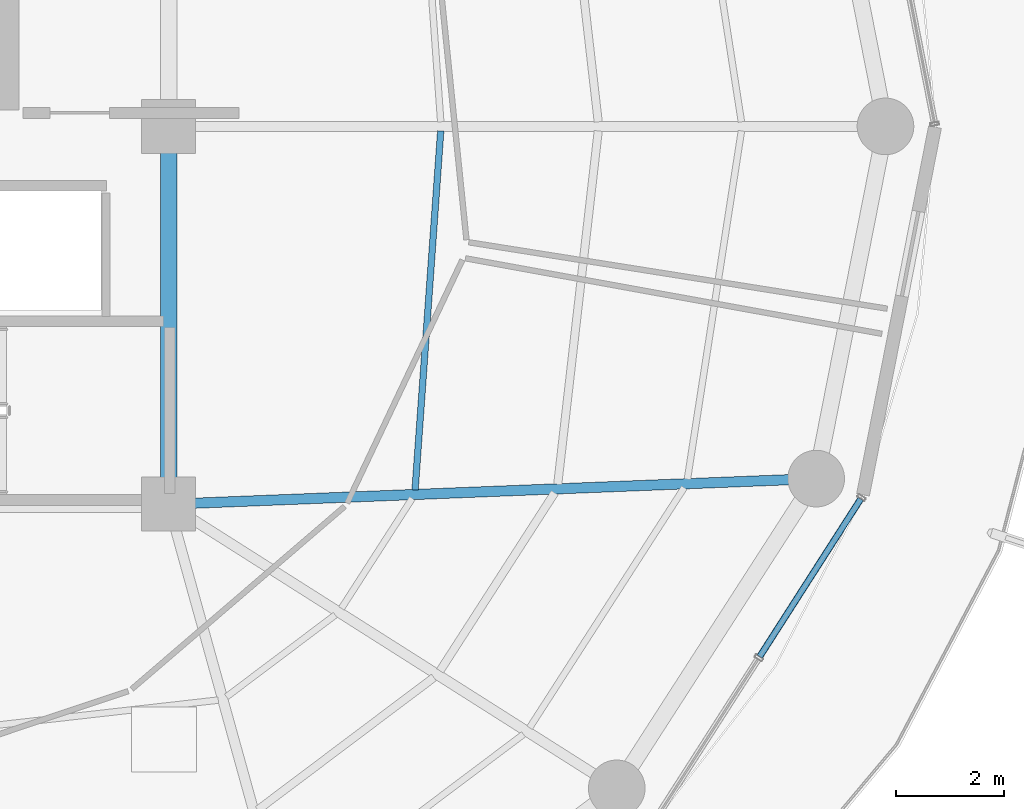
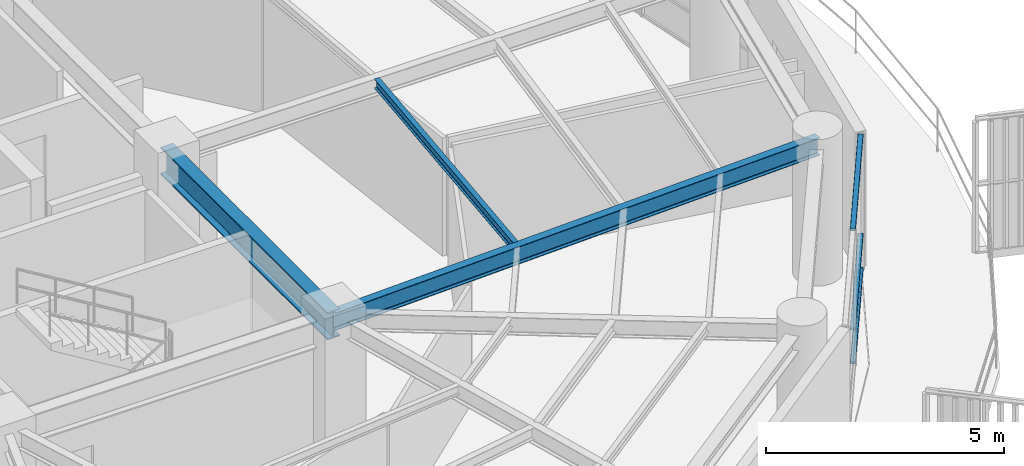
# One storey, part 12 of 31: 3 beams, 3 members, 1 element without a shape of its own.
"""IFC4 building model written with IfcOpenShell, lengths in metres."""

from ifc_helpers import new_model, si_unit, direction, frame, origin, origin_2d, place, context, subcontext, project, spatial, hollow_rectangle, i_section, extrude, material, layer, layer_set, material_profile, profile_set, type_object, element, aggregate, save


model = new_model("IFC4")

# Units and contexts
model_context = context("Model", 3, precision=1e-05, world=origin(), true_north=direction((0.0, 1.0)))
body_context = subcontext(model_context, "Body", "Model", "MODEL_VIEW")
ifc_project = project(units=[si_unit("LENGTHUNIT", "METRE"), si_unit("AREAUNIT", "SQUARE_METRE"), si_unit("VOLUMEUNIT", "CUBIC_METRE"), si_unit("PLANEANGLEUNIT", "RADIAN"), si_unit("MASSUNIT", "GRAM", prefix="KILO")], contexts=[model_context])

# Site, building, storey
site_placement = place(None, origin())
site = spatial("IfcSite", under=ifc_project, at=site_placement, CompositionType="ELEMENT")
building_placement = place(site_placement, origin())
building = spatial("IfcBuilding", under=site, at=building_placement, Name="Kelanora Arch Commons", CompositionType="ELEMENT")
storey_placement = place(building_placement, frame((0.0, 0.0, 226.949951171875)))
storey = spatial("IfcBuildingStorey", under=building, at=storey_placement, Name="L58", CompositionType="ELEMENT", Elevation=226.949951171875)

# Beams
ifc_material_1 = material(Name="Steel S355", Category="steel")
ifc_material_profile_1 = material_profile(ifc_material_1, i_section(OverallWidth=0.300048828125, OverallDepth=0.699951171875, WebThickness=0.01708984375, FlangeThickness=0.031982421875, FilletRadius=0.027099609375, at=origin_2d()), Name="HEB700")
ifc_profile_set_1 = profile_set([ifc_material_profile_1], Name="Steel S355")
beam_type_1 = type_object("IfcBeamType", Name="BM-CORE-HDR", PredefinedType="BEAM", material=ifc_profile_set_1)
beam_1_placement = place(storey_placement, frame((82.0, 51.0, 3.14013671875), z_axis=(0.0, 1.0, 0.0), x_axis=(-1.0, 0.0, 0.0)))
element("IfcBeam", 1, at=beam_1_placement, inside=storey, type_object=beam_type_1, Name="Core Header Beam 03 L58", PredefinedType="BEAM", context=body_context, shape_type="SweptSolid", body=[
    extrude(i_section(OverallWidth=0.300048828125, OverallDepth=0.699951171875, WebThickness=0.01708984375, FlangeThickness=0.031982421875, FilletRadius=0.027099609375, at=origin_2d()), origin(), (0.0, 0.0, 1.0), 7.0),
])
ifc_material_profile_2 = material_profile(ifc_material_1, i_section(OverallWidth=0.1201171875, OverallDepth=0.239990234375, WebThickness=0.006103515625, FlangeThickness=0.009765625, FilletRadius=0.014892578125, at=origin_2d()), Name="IPE240")
ifc_profile_set_2 = profile_set([ifc_material_profile_2], Name="Steel S355")
beam_type_2 = type_object("IfcBeamType", Name="BM-JST-02", PredefinedType="JOIST", material=ifc_profile_set_2)
beam_2_placement = place(storey_placement, frame((86.564697265625, 51.264892578125, 3.3701171875), z_axis=(0.07133032136, 0.997452748382, 0.0), x_axis=(-0.997452748382, 0.07133032136, 0.0)))
element("IfcBeam", 2, at=beam_2_placement, inside=storey, type_object=beam_type_2, Name="Secondary Chord Joist BJA-34 L58", PredefinedType="JOIST", context=body_context, shape_type="SweptSolid", body=[
    extrude(i_section(OverallWidth=0.1201171875, OverallDepth=0.239990234375, WebThickness=0.006103515625, FlangeThickness=0.009765625, FilletRadius=0.014892578125, at=origin_2d()), origin(), (0.0, 0.0, 1.0), 6.66748046875),
])
ifc_material_profile_3 = material_profile(ifc_material_1, i_section(OverallWidth=0.18994140625, OverallDepth=0.449951171875, WebThickness=0.009521484375, FlangeThickness=0.0146484375, FilletRadius=0.02099609375, at=origin_2d()), Name="IPE450")
ifc_profile_set_3 = profile_set([ifc_material_profile_3], Name="Steel S355")
beam_type_3 = type_object("IfcBeamType", Name="BM-RAD-Z4", PredefinedType="BEAM", material=ifc_profile_set_3)
beam_3_placement = place(storey_placement, frame((82.0, 51.0, 3.26513671875), z_axis=(0.999219142585, 0.03951082246, 0.0), x_axis=(-0.03951082246, 0.999219142585, 0.0)))
element("IfcBeam", 3, at=beam_3_placement, inside=storey, type_object=beam_type_3, Name="Radial Floor Girder BR-34 L58", PredefinedType="BEAM", context=body_context, shape_type="SweptSolid", body=[
    extrude(i_section(OverallWidth=0.18994140625, OverallDepth=0.449951171875, WebThickness=0.009521484375, FlangeThickness=0.0146484375, FilletRadius=0.02099609375, at=origin_2d()), origin(), (0.0, 0.0, 1.0), 12.005859375),
])

# Curtain wall, members
ifc_material_2 = material(Name="Terracotta ceramic-fritted low-E glass and aluminium", Category="masonry")
ifc_layer = layer(ifc_material_2, 0.175048828125)
ifc_layer_set = layer_set([ifc_layer], Name="Terracotta ceramic-fritted low-E glass and aluminium")
curtain_wall_type = type_object("IfcCurtainWallType", Name="CW-SYS-02", PredefinedType="NOTDEFINED", material=ifc_layer_set)
curtain_wall_placement = place(storey_placement, origin())
curtain_wall = element("IfcCurtainWall", 4, at=curtain_wall_placement, inside=storey, type_object=curtain_wall_type, Name="Unitised Curtain Wall L58-B16", PredefinedType="NOTDEFINED")
ifc_material_3 = material(Name="Powder-coated aluminium terracotta", Category="masonry")
ifc_material_profile_4 = material_profile(ifc_material_3, hollow_rectangle(XDim=0.1201171875, YDim=0.06005859375, WallThickness=0.0048828125, InnerFilletRadius=0.0048828125, OuterFilletRadius=0.010009765625, at=origin_2d()), Name="CWT120x60")
ifc_profile_set_4 = profile_set([ifc_material_profile_4], Name="Powder-coated aluminium terracotta")
member_type = type_object("IfcMemberType", Name="CWT-STD", PredefinedType="USERDEFINED", material=ifc_profile_set_4)
member_1_placement = place(storey_placement, frame((92.949951171875, 48.17724609375, 0.030029296875), z_axis=(0.539579095642, 0.84193491408, 0.0), x_axis=(-0.84193491408, 0.539579095642, 0.0)))
member_1 = element("IfcMember", 5, at=member_1_placement, type_object=member_type, Name="CW-02 transom 2.1", ObjectType="TRANSOM", PredefinedType="USERDEFINED", context=body_context, shape_type="SweptSolid", body=[
    extrude(hollow_rectangle(XDim=0.1201171875, YDim=0.06005859375, WallThickness=0.0048828125, InnerFilletRadius=0.0048828125, OuterFilletRadius=0.010009765625, at=origin_2d()), origin(), (0.0, 0.0, 1.0), 3.46728515625),
])
member_2_placement = place(storey_placement, frame((92.949951171875, 48.17724609375, 0.900146484375), z_axis=(0.539579095642, 0.84193491408, 0.0), x_axis=(-0.84193491408, 0.539579095642, 0.0)))
member_2 = element("IfcMember", 6, at=member_2_placement, type_object=member_type, Name="CW-02 transom 2.2", ObjectType="TRANSOM", PredefinedType="USERDEFINED", context=body_context, shape_type="SweptSolid", body=[
    extrude(hollow_rectangle(XDim=0.1201171875, YDim=0.06005859375, WallThickness=0.0048828125, InnerFilletRadius=0.0048828125, OuterFilletRadius=0.010009765625, at=origin_2d()), origin(), (0.0, 0.0, 1.0), 3.46728515625),
])
member_3_placement = place(storey_placement, frame((92.949951171875, 48.17724609375, 3.445068359375), z_axis=(0.539579095642, 0.84193491408, 0.0), x_axis=(-0.84193491408, 0.539579095642, 0.0)))
member_3 = element("IfcMember", 7, at=member_3_placement, type_object=member_type, Name="CW-02 transom 2.3", ObjectType="TRANSOM", PredefinedType="USERDEFINED", context=body_context, shape_type="SweptSolid", body=[
    extrude(hollow_rectangle(XDim=0.1201171875, YDim=0.06005859375, WallThickness=0.0048828125, InnerFilletRadius=0.0048828125, OuterFilletRadius=0.010009765625, at=origin_2d()), origin(), (0.0, 0.0, 1.0), 3.46728515625),
])
aggregate(curtain_wall, [member_1, member_2, member_3])

save(model, "model.ifc")
